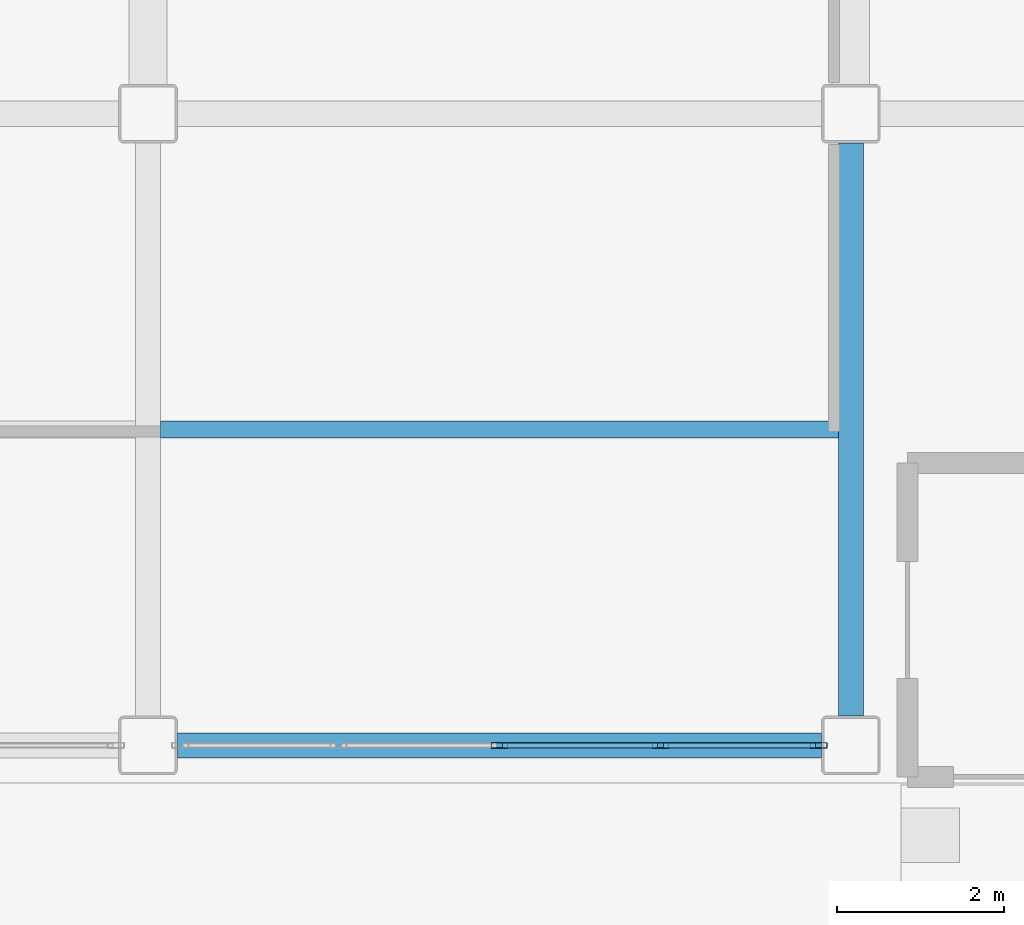
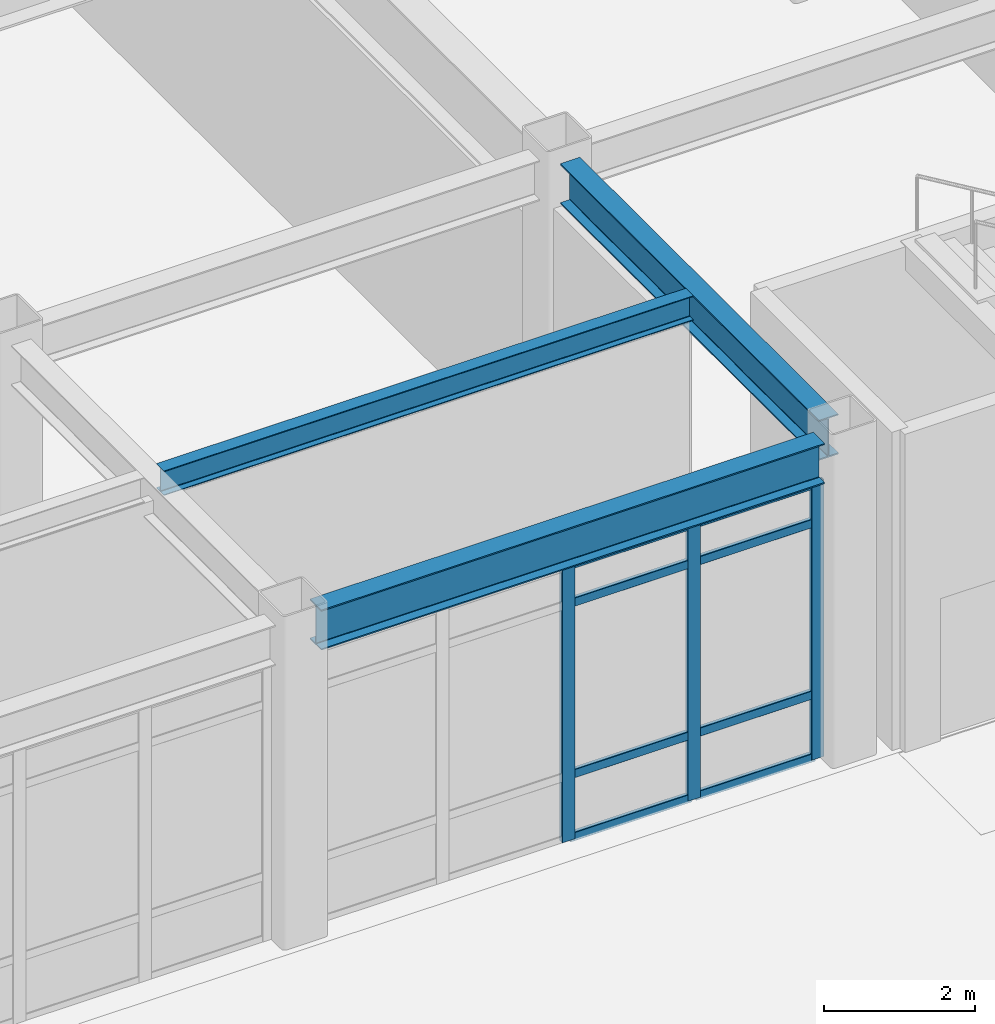
# One storey, part 12 of 165: 11 members, 3 beams, 1 element without a shape of its own.
"""IFC4 building model written with IfcOpenShell, lengths in metres."""

from ifc_helpers import new_model, si_unit, direction, frame, origin, origin_2d, place, context, subcontext, project, spatial, hollow_rectangle, i_section, extrude, material, layer, layer_set, material_profile, profile_set, type_object, element, aggregate, save


model = new_model("IFC4")

# Units and contexts
model_context = context("Model", 3, precision=1e-05, world=origin(), true_north=direction((0.0, 1.0)))
body_context = subcontext(model_context, "Body", "Model", "MODEL_VIEW")
ifc_project = project(units=[si_unit("LENGTHUNIT", "METRE"), si_unit("AREAUNIT", "SQUARE_METRE"), si_unit("VOLUMEUNIT", "CUBIC_METRE"), si_unit("PLANEANGLEUNIT", "RADIAN"), si_unit("MASSUNIT", "GRAM", prefix="KILO")], contexts=[model_context])

# Site, building, storey
site_placement = place(None, origin())
site = spatial("IfcSite", under=ifc_project, at=site_placement, CompositionType="ELEMENT")
building_placement = place(site_placement, origin())
building = spatial("IfcBuilding", under=site, at=building_placement, Name="Kazehara Bluff Congress Hotel", CompositionType="ELEMENT")
storey_placement = place(building_placement, origin())
storey = spatial("IfcBuildingStorey", under=building, at=storey_placement, Name="L00", CompositionType="ELEMENT", Elevation=0.0)

# Curtain wall, members
ifc_material_1 = material(Name="Anodised aluminium", Category="aluminium")
ifc_layer = layer(ifc_material_1, 0.159912109375)
ifc_layer_set = layer_set([ifc_layer], Name="Anodised aluminium")
curtain_wall_type = type_object("IfcCurtainWallType", Name="TP-CW-26", PredefinedType="NOTDEFINED", material=ifc_layer_set)
curtain_wall_placement = place(storey_placement, origin())
curtain_wall = element("IfcCurtainWall", 1, at=curtain_wall_placement, inside=storey, type_object=curtain_wall_type, Name="L00 curtain wall CW-26 CW-V2-L00-Y45-3395", PredefinedType="NOTDEFINED")
ifc_material_2 = material(Name="Anodised aluminium", Category="aluminium")
ifc_material_profile_1 = material_profile(ifc_material_2, hollow_rectangle(XDim=0.070068359375, YDim=0.199951171875, WallThickness=0.0048828125, InnerFilletRadius=0.0048828125, OuterFilletRadius=0.010009765625, at=origin_2d()))
ifc_profile_set_1 = profile_set([ifc_material_profile_1], Name="Anodised aluminium")
member_type_1 = type_object("IfcMemberType", Name="TP-CWM-03", PredefinedType="MULLION", material=ifc_profile_set_1)
member_1_placement = place(storey_placement, frame((37.800048828125, 0.449951171875, 0.0), z_axis=(0.0, 0.0, 1.0), x_axis=(0.0, 1.0, 0.0)))
member_1 = element("IfcMember", 2, at=member_1_placement, type_object=member_type_1, Name="CW-26 mullion 3", PredefinedType="MULLION", context=body_context, shape_type="SweptSolid", body=[
    extrude(hollow_rectangle(XDim=0.070068359375, YDim=0.199951171875, WallThickness=0.0048828125, InnerFilletRadius=0.0048828125, OuterFilletRadius=0.010009765625, at=origin_2d()), origin(), (0.0, 0.0, 1.0), 4.47509765625),
])
member_2_placement = place(storey_placement, frame((39.72509765625, 0.449951171875, 0.0), z_axis=(0.0, 0.0, 1.0), x_axis=(0.0, 1.0, 0.0)))
member_2 = element("IfcMember", 3, at=member_2_placement, type_object=member_type_1, Name="CW-26 mullion 4", PredefinedType="MULLION", context=body_context, shape_type="SweptSolid", body=[
    extrude(hollow_rectangle(XDim=0.070068359375, YDim=0.199951171875, WallThickness=0.0048828125, InnerFilletRadius=0.0048828125, OuterFilletRadius=0.010009765625, at=origin_2d()), origin(), (0.0, 0.0, 1.0), 4.47509765625),
])
member_3_placement = place(storey_placement, frame((41.614990234375, 0.449951171875, 0.0), z_axis=(0.0, 0.0, 1.0), x_axis=(0.0, 1.0, 0.0)))
member_3 = element("IfcMember", 4, at=member_3_placement, type_object=member_type_1, Name="CW-26 mullion 5", PredefinedType="MULLION", context=body_context, shape_type="SweptSolid", body=[
    extrude(hollow_rectangle(XDim=0.070068359375, YDim=0.199951171875, WallThickness=0.0048828125, InnerFilletRadius=0.0048828125, OuterFilletRadius=0.010009765625, at=origin_2d()), origin(), (0.0, 0.0, 1.0), 4.47509765625),
])
ifc_material_3 = material(Name="Anodised aluminium", Category="aluminium")
ifc_material_profile_2 = material_profile(ifc_material_3, hollow_rectangle(XDim=0.06494140625, YDim=0.139892578125, WallThickness=0.00390625, InnerFilletRadius=0.00390625, OuterFilletRadius=0.008056640625, at=origin_2d()))
ifc_profile_set_2 = profile_set([ifc_material_profile_2], Name="Anodised aluminium")
member_type_2 = type_object("IfcMemberType", Name="TP-CWT-02", PredefinedType="USERDEFINED", material=ifc_profile_set_2)
member_4_placement = place(storey_placement, frame((37.8349609375, 0.449951171875, 0.032470703125), z_axis=(1.0, 0.0, 0.0), x_axis=(0.0, 1.0, 0.0)))
member_4 = element("IfcMember", 5, at=member_4_placement, type_object=member_type_2, Name="CW-26 transom 3.1", ObjectType="TRANSOM", PredefinedType="USERDEFINED", context=body_context, shape_type="SweptSolid", body=[
    extrude(hollow_rectangle(XDim=0.06494140625, YDim=0.139892578125, WallThickness=0.00390625, InnerFilletRadius=0.00390625, OuterFilletRadius=0.008056640625, at=origin_2d()), origin(), (0.0, 0.0, 1.0), 1.85498046875),
])
member_5_placement = place(storey_placement, frame((37.8349609375, 0.449951171875, 1.050048828125), z_axis=(1.0, 0.0, 0.0), x_axis=(0.0, 1.0, 0.0)))
member_5 = element("IfcMember", 6, at=member_5_placement, type_object=member_type_2, Name="CW-26 transom 3.2", ObjectType="TRANSOM", PredefinedType="USERDEFINED", context=body_context, shape_type="SweptSolid", body=[
    extrude(hollow_rectangle(XDim=0.06494140625, YDim=0.139892578125, WallThickness=0.00390625, InnerFilletRadius=0.00390625, OuterFilletRadius=0.008056640625, at=origin_2d()), origin(), (0.0, 0.0, 1.0), 1.85498046875),
])
member_6_placement = place(storey_placement, frame((37.8349609375, 0.449951171875, 3.824951171875), z_axis=(1.0, 0.0, 0.0), x_axis=(0.0, 1.0, 0.0)))
member_6 = element("IfcMember", 7, at=member_6_placement, type_object=member_type_2, Name="CW-26 transom 3.3", ObjectType="TRANSOM", PredefinedType="USERDEFINED", context=body_context, shape_type="SweptSolid", body=[
    extrude(hollow_rectangle(XDim=0.06494140625, YDim=0.139892578125, WallThickness=0.00390625, InnerFilletRadius=0.00390625, OuterFilletRadius=0.008056640625, at=origin_2d()), origin(), (0.0, 0.0, 1.0), 1.85498046875),
])
member_7_placement = place(storey_placement, frame((37.8349609375, 0.449951171875, 4.4423828125), z_axis=(1.0, 0.0, 0.0), x_axis=(0.0, 1.0, 0.0)))
member_7 = element("IfcMember", 8, at=member_7_placement, type_object=member_type_2, Name="CW-26 transom 3.4", ObjectType="TRANSOM", PredefinedType="USERDEFINED", context=body_context, shape_type="SweptSolid", body=[
    extrude(hollow_rectangle(XDim=0.06494140625, YDim=0.139892578125, WallThickness=0.00390625, InnerFilletRadius=0.00390625, OuterFilletRadius=0.008056640625, at=origin_2d()), origin(), (0.0, 0.0, 1.0), 1.85498046875),
])
member_8_placement = place(storey_placement, frame((39.760009765625, 0.449951171875, 0.032470703125), z_axis=(1.0, 0.0, 0.0), x_axis=(0.0, 1.0, 0.0)))
member_8 = element("IfcMember", 9, at=member_8_placement, type_object=member_type_2, Name="CW-26 transom 4.1", ObjectType="TRANSOM", PredefinedType="USERDEFINED", context=body_context, shape_type="SweptSolid", body=[
    extrude(hollow_rectangle(XDim=0.06494140625, YDim=0.139892578125, WallThickness=0.00390625, InnerFilletRadius=0.00390625, OuterFilletRadius=0.008056640625, at=origin_2d()), origin(), (0.0, 0.0, 1.0), 1.820068359375),
])
member_9_placement = place(storey_placement, frame((39.760009765625, 0.449951171875, 1.050048828125), z_axis=(1.0, 0.0, 0.0), x_axis=(0.0, 1.0, 0.0)))
member_9 = element("IfcMember", 10, at=member_9_placement, type_object=member_type_2, Name="CW-26 transom 4.2", ObjectType="TRANSOM", PredefinedType="USERDEFINED", context=body_context, shape_type="SweptSolid", body=[
    extrude(hollow_rectangle(XDim=0.06494140625, YDim=0.139892578125, WallThickness=0.00390625, InnerFilletRadius=0.00390625, OuterFilletRadius=0.008056640625, at=origin_2d()), origin(), (0.0, 0.0, 1.0), 1.820068359375),
])
member_10_placement = place(storey_placement, frame((39.760009765625, 0.449951171875, 3.824951171875), z_axis=(1.0, 0.0, 0.0), x_axis=(0.0, 1.0, 0.0)))
member_10 = element("IfcMember", 11, at=member_10_placement, type_object=member_type_2, Name="CW-26 transom 4.3", ObjectType="TRANSOM", PredefinedType="USERDEFINED", context=body_context, shape_type="SweptSolid", body=[
    extrude(hollow_rectangle(XDim=0.06494140625, YDim=0.139892578125, WallThickness=0.00390625, InnerFilletRadius=0.00390625, OuterFilletRadius=0.008056640625, at=origin_2d()), origin(), (0.0, 0.0, 1.0), 1.820068359375),
])
member_11_placement = place(storey_placement, frame((39.760009765625, 0.449951171875, 4.4423828125), z_axis=(1.0, 0.0, 0.0), x_axis=(0.0, 1.0, 0.0)))
member_11 = element("IfcMember", 12, at=member_11_placement, type_object=member_type_2, Name="CW-26 transom 4.4", ObjectType="TRANSOM", PredefinedType="USERDEFINED", context=body_context, shape_type="SweptSolid", body=[
    extrude(hollow_rectangle(XDim=0.06494140625, YDim=0.139892578125, WallThickness=0.00390625, InnerFilletRadius=0.00390625, OuterFilletRadius=0.008056640625, at=origin_2d()), origin(), (0.0, 0.0, 1.0), 1.820068359375),
])
aggregate(curtain_wall, [member_1, member_2, member_3, member_4, member_5, member_6, member_7, member_8, member_9, member_10, member_11])

# Beams
ifc_material_4 = material(Name="Steel SN490B", Category="steel")
ifc_material_profile_3 = material_profile(ifc_material_4, i_section(OverallWidth=0.300048828125, OverallDepth=0.64990234375, WebThickness=0.011962890625, FlangeThickness=0.02001953125, FilletRadius=0.012939453125, at=origin_2d()))
ifc_profile_set_3 = profile_set([ifc_material_profile_3], Name="Steel SN490B")
beam_type_1 = type_object("IfcBeamType", Name="TP-G-03", PredefinedType="BEAM", material=ifc_profile_set_3)
beam_1_placement = place(storey_placement, frame((42.0, 0.800048828125, 4.824951171875), z_axis=(0.0, 1.0, 0.0), x_axis=(-1.0, 0.0, 0.0)))
element("IfcBeam", 13, at=beam_1_placement, inside=storey, type_object=beam_type_1, Name="L00 girder G-03 58", PredefinedType="BEAM", context=body_context, shape_type="SweptSolid", body=[
    extrude(i_section(OverallWidth=0.300048828125, OverallDepth=0.64990234375, WebThickness=0.011962890625, FlangeThickness=0.02001953125, FilletRadius=0.012939453125, at=origin_2d()), origin(), (0.0, 0.0, 1.0), 6.849853515625),
])
beam_2_placement = place(storey_placement, frame((33.949951171875, 0.449951171875, 4.824951171875), z_axis=(1.0, 0.0, 0.0), x_axis=(0.0, 1.0, 0.0)))
element("IfcBeam", 14, at=beam_2_placement, inside=storey, type_object=beam_type_1, Name="L00 girder G-03 72", PredefinedType="BEAM", context=body_context, shape_type="SweptSolid", body=[
    extrude(i_section(OverallWidth=0.300048828125, OverallDepth=0.64990234375, WebThickness=0.011962890625, FlangeThickness=0.02001953125, FilletRadius=0.012939453125, at=origin_2d()), origin(), (0.0, 0.0, 1.0), 7.699951171875),
])
ifc_material_5 = material(Name="Steel SN400B", Category="steel")
ifc_material_profile_4 = material_profile(ifc_material_5, i_section(OverallWidth=0.199951171875, OverallDepth=0.39990234375, WebThickness=0.008056640625, FlangeThickness=0.012939453125, FilletRadius=0.012939453125, at=origin_2d()))
ifc_profile_set_4 = profile_set([ifc_material_profile_4], Name="Steel SN400B")
beam_type_2 = type_object("IfcBeamType", Name="TP-J-03", PredefinedType="JOIST", material=ifc_profile_set_4)
beam_3_placement = place(storey_placement, frame((33.75, 4.22509765625, 4.949951171875), z_axis=(1.0, 0.0, 0.0), x_axis=(0.0, 1.0, 0.0)))
element("IfcBeam", 15, at=beam_3_placement, inside=storey, type_object=beam_type_2, Name="L00 secondary joist J-03 6", PredefinedType="JOIST", context=body_context, shape_type="SweptSolid", body=[
    extrude(i_section(OverallWidth=0.199951171875, OverallDepth=0.39990234375, WebThickness=0.008056640625, FlangeThickness=0.012939453125, FilletRadius=0.012939453125, at=origin_2d()), origin(), (0.0, 0.0, 1.0), 8.10009765625),
])

save(model, "model.ifc")
